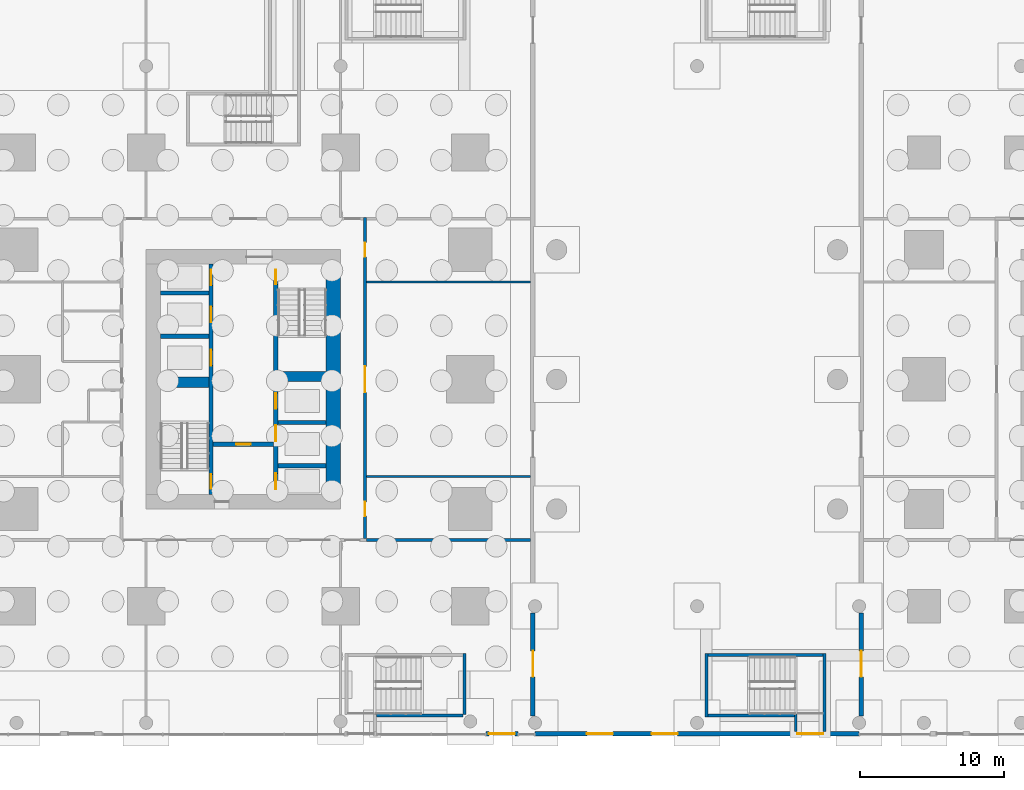
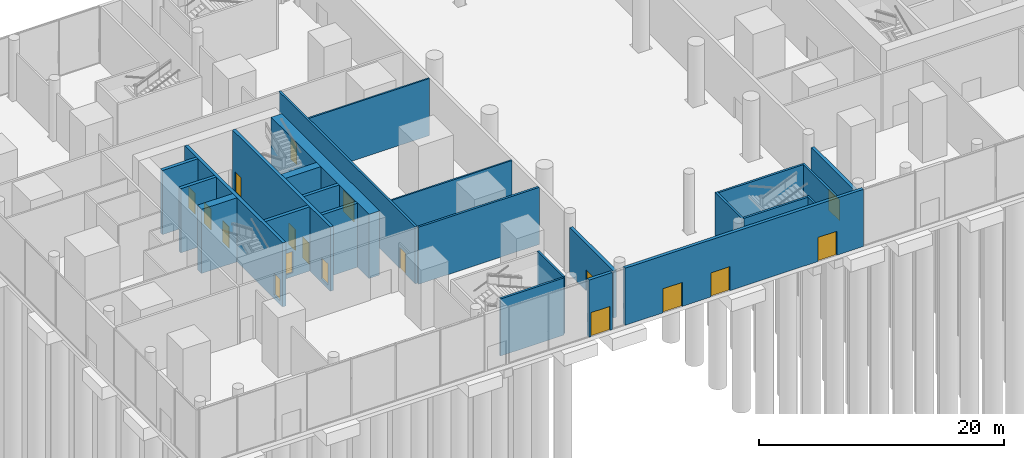
# One storey, part 19 of 31: 25 walls, 18 doors, 18 openings.
"""IFC4 building model written with IfcOpenShell, lengths in metres."""

from ifc_helpers import new_model, si_unit, direction, frame, frame_2d, origin, place, context, subcontext, project, spatial, rectangle, extrude, material, layer, layer_set, type_object, element, fill, save


model = new_model("IFC4")

# Units and contexts
model_context = context("Model", 3, precision=1e-05, world=origin(), true_north=direction((0.0, 1.0)))
body_context = subcontext(model_context, "Body", "Model", "MODEL_VIEW")
ifc_project = project(units=[si_unit("LENGTHUNIT", "METRE"), si_unit("AREAUNIT", "SQUARE_METRE"), si_unit("VOLUMEUNIT", "CUBIC_METRE"), si_unit("PLANEANGLEUNIT", "RADIAN"), si_unit("MASSUNIT", "GRAM", prefix="KILO")], contexts=[model_context])

# Site, building, storey
site_placement = place(None, origin())
site = spatial("IfcSite", under=ifc_project, at=site_placement, CompositionType="ELEMENT")
building_placement = place(site_placement, origin())
building = spatial("IfcBuilding", under=site, at=building_placement, Name="Namib Vertical Campus", CompositionType="ELEMENT")
storey_placement = place(building_placement, origin())
storey = spatial("IfcBuildingStorey", under=building, at=storey_placement, Name="L00", CompositionType="ELEMENT", Elevation=0.0)

# Wall, openings, doors
ifc_material_1 = material(Name="Concrete C60/75", Category="concrete")
ifc_layer_1 = layer(ifc_material_1, 0.300048828125)
ifc_layer_set_1 = layer_set([ifc_layer_1], Name="Concrete C60/75")
wall_type_1 = type_object("IfcWallType", Name="Core inner wall 300", PredefinedType="SHEAR", material=ifc_layer_set_1)
wall_1_placement = place(storey_placement, frame((18.0, 12.25, -0.39990234375), z_axis=(0.0, 0.0, 1.0), x_axis=(0.0, 1.0, 0.0)))
wall_1 = element("IfcWall", 1, at=wall_1_placement, inside=storey, type_object=wall_type_1, Name="Core inner wall A L00 W1", PredefinedType="SHEAR", context=body_context, shape_type="SweptSolid", body=[
    extrude(rectangle(XDim=16.0, YDim=0.300048828125, at=frame_2d((8.0, 0.0))), origin(), (0.0, 0.0, 1.0), 6.39990234375),
])
opening_1_placement = place(wall_1_placement, frame((0.39990234375, 0.0, 0.39990234375)))
opening_1 = element("IfcOpeningElement", 2, at=opening_1_placement, cuts=wall_1, Name="Opening FD1", PredefinedType="OPENING", context=body_context, shape_type="SweptSolid", body=[
    extrude(rectangle(XDim=1.0, YDim=2.10009765625, at=frame_2d((0.5, 1.050048828125))), frame((0.0, 0.159912109375, 0.0), z_axis=(0.0, -1.0, 0.0), x_axis=(1.0, 0.0, 0.0)), (0.0, 0.0, 1.0), 0.320068359375),
])
opening_2_placement = place(wall_1_placement, frame((8.949951171875, 0.0, 0.39990234375)))
opening_2 = element("IfcOpeningElement", 3, at=opening_2_placement, cuts=wall_1, Name="Opening LD1", PredefinedType="OPENING", context=body_context, shape_type="SweptSolid", body=[
    extrude(rectangle(XDim=1.10009765625, YDim=2.10009765625, at=frame_2d((0.550048828125, 1.050048828125))), frame((0.0, 0.159912109375, 0.0), z_axis=(0.0, -1.0, 0.0), x_axis=(1.0, 0.0, 0.0)), (0.0, 0.0, 1.0), 0.320068359375),
])
opening_3_placement = place(wall_1_placement, frame((11.949951171875, 0.0, 0.39990234375)))
opening_3 = element("IfcOpeningElement", 4, at=opening_3_placement, cuts=wall_1, Name="Opening LD1", PredefinedType="OPENING", context=body_context, shape_type="SweptSolid", body=[
    extrude(rectangle(XDim=1.10009765625, YDim=2.10009765625, at=frame_2d((0.550048828125, 1.050048828125))), frame((0.0, 0.159912109375, 0.0), z_axis=(0.0, -1.0, 0.0), x_axis=(1.0, 0.0, 0.0)), (0.0, 0.0, 1.0), 0.320068359375),
])
opening_4_placement = place(wall_1_placement, frame((14.52490234375, 0.0, 0.39990234375)))
opening_4 = element("IfcOpeningElement", 5, at=opening_4_placement, cuts=wall_1, Name="Opening LD1", PredefinedType="OPENING", context=body_context, shape_type="SweptSolid", body=[
    extrude(rectangle(XDim=1.10009765625, YDim=2.10009765625, at=frame_2d((0.550048828125, 1.050048828125))), frame((0.0, 0.159912109375, 0.0), z_axis=(0.0, -1.0, 0.0), x_axis=(1.0, 0.0, 0.0)), (0.0, 0.0, 1.0), 0.320068359375),
])
ifc_material_2 = material(Name="Steel fire door", Category="steel")
door_type_1 = type_object("IfcDoorType", Name="Fire door 1000x2100", OperationType="SINGLE_SWING_RIGHT", PredefinedType="DOOR", material=ifc_material_2)
door_1_placement = place(opening_1_placement, frame((1.0, 0.0, 0.0), z_axis=(0.0, 0.0, 1.0), x_axis=(-1.0, 0.0, 0.0)))
door_1 = element("IfcDoor", 6, at=door_1_placement, inside=storey, type_object=door_type_1, Name="Stair door FD1 A L00 S1", OperationType="SINGLE_SWING_RIGHT", OverallHeight=2.10009765625, OverallWidth=1.0, PredefinedType="DOOR", context=body_context, shape_type="SweptSolid", body=[
    extrude(rectangle(XDim=1.0, YDim=2.10009765625, at=frame_2d((0.5, 1.050048828125))), frame((0.0, 0.02490234375, 0.0), z_axis=(0.0, -1.0, 0.0), x_axis=(1.0, 0.0, 0.0)), (0.0, 0.0, 1.0), 0.050048828125),
])
fill(opening_1, door_1)
ifc_material_3 = material(Name="Stainless steel lift door", Category="steel")
door_type_2 = type_object("IfcDoorType", Name="Lift landing door 1100x2100", OperationType="DOUBLE_DOOR_SLIDING", PredefinedType="DOOR", material=ifc_material_3)
door_2_placement = place(opening_2_placement, origin())
door_2 = element("IfcDoor", 7, at=door_2_placement, inside=storey, type_object=door_type_2, Name="Lift landing door LD1 A-P1 L00", OperationType="DOUBLE_DOOR_SLIDING", OverallHeight=2.10009765625, OverallWidth=1.10009765625, PredefinedType="DOOR", context=body_context, shape_type="SweptSolid", body=[
    extrude(rectangle(XDim=1.10009765625, YDim=2.10009765625, at=frame_2d((0.550048828125, 1.050048828125))), frame((0.0, 0.02490234375, 0.0), z_axis=(0.0, -1.0, 0.0), x_axis=(1.0, 0.0, 0.0)), (0.0, 0.0, 1.0), 0.050048828125),
])
fill(opening_2, door_2)
door_3_placement = place(opening_3_placement, origin())
door_3 = element("IfcDoor", 8, at=door_3_placement, inside=storey, type_object=door_type_2, Name="Lift landing door LD1 A-P2 L00", OperationType="DOUBLE_DOOR_SLIDING", OverallHeight=2.10009765625, OverallWidth=1.10009765625, PredefinedType="DOOR", context=body_context, shape_type="SweptSolid", body=[
    extrude(rectangle(XDim=1.10009765625, YDim=2.10009765625, at=frame_2d((0.550048828125, 1.050048828125))), frame((0.0, 0.02490234375, 0.0), z_axis=(0.0, -1.0, 0.0), x_axis=(1.0, 0.0, 0.0)), (0.0, 0.0, 1.0), 0.050048828125),
])
fill(opening_3, door_3)
door_4_placement = place(opening_4_placement, origin())
door_4 = element("IfcDoor", 9, at=door_4_placement, inside=storey, type_object=door_type_2, Name="Lift landing door LD1 A-P3 L00", OperationType="DOUBLE_DOOR_SLIDING", OverallHeight=2.10009765625, OverallWidth=1.10009765625, PredefinedType="DOOR", context=body_context, shape_type="SweptSolid", body=[
    extrude(rectangle(XDim=1.10009765625, YDim=2.10009765625, at=frame_2d((0.550048828125, 1.050048828125))), frame((0.0, 0.02490234375, 0.0), z_axis=(0.0, -1.0, 0.0), x_axis=(1.0, 0.0, 0.0)), (0.0, 0.0, 1.0), 0.050048828125),
])
fill(opening_4, door_4)

wall_2_placement = place(storey_placement, frame((22.5, 12.25, -0.39990234375), z_axis=(0.0, 0.0, 1.0), x_axis=(0.0, 1.0, 0.0)))
wall_2 = element("IfcWall", 10, at=wall_2_placement, inside=storey, type_object=wall_type_1, Name="Core inner wall A L00 W2", PredefinedType="SHEAR", context=body_context, shape_type="SweptSolid", body=[
    extrude(rectangle(XDim=16.0, YDim=0.300048828125, at=frame_2d((8.0, 0.0))), origin(), (0.0, 0.0, 1.0), 6.39990234375),
])
opening_5_placement = place(wall_2_placement, frame((14.60009765625, 0.0, 0.39990234375)))
opening_5 = element("IfcOpeningElement", 11, at=opening_5_placement, cuts=wall_2, Name="Opening FD1", PredefinedType="OPENING", context=body_context, shape_type="SweptSolid", body=[
    extrude(rectangle(XDim=1.0, YDim=2.10009765625, at=frame_2d((0.5, 1.050048828125))), frame((0.0, 0.159912109375, 0.0), z_axis=(0.0, -1.0, 0.0), x_axis=(1.0, 0.0, 0.0)), (0.0, 0.0, 1.0), 0.320068359375),
])
opening_6_placement = place(wall_2_placement, frame((0.375, 0.0, 0.39990234375)))
opening_6 = element("IfcOpeningElement", 12, at=opening_6_placement, cuts=wall_2, Name="Opening LD1", PredefinedType="OPENING", context=body_context, shape_type="SweptSolid", body=[
    extrude(rectangle(XDim=1.10009765625, YDim=2.10009765625, at=frame_2d((0.550048828125, 1.050048828125))), frame((0.0, 0.159912109375, 0.0), z_axis=(0.0, -1.0, 0.0), x_axis=(1.0, 0.0, 0.0)), (0.0, 0.0, 1.0), 0.320068359375),
])
opening_7_placement = place(wall_2_placement, frame((3.699951171875, 0.0, 0.39990234375)))
opening_7 = element("IfcOpeningElement", 13, at=opening_7_placement, cuts=wall_2, Name="Opening LD1", PredefinedType="OPENING", context=body_context, shape_type="SweptSolid", body=[
    extrude(rectangle(XDim=1.10009765625, YDim=2.10009765625, at=frame_2d((0.550048828125, 1.050048828125))), frame((0.0, 0.159912109375, 0.0), z_axis=(0.0, -1.0, 0.0), x_axis=(1.0, 0.0, 0.0)), (0.0, 0.0, 1.0), 0.320068359375),
])
opening_8_placement = place(wall_2_placement, frame((5.949951171875, 0.0, 0.39990234375)))
opening_8 = element("IfcOpeningElement", 14, at=opening_8_placement, cuts=wall_2, Name="Opening LD1", PredefinedType="OPENING", context=body_context, shape_type="SweptSolid", body=[
    extrude(rectangle(XDim=1.10009765625, YDim=2.10009765625, at=frame_2d((0.550048828125, 1.050048828125))), frame((0.0, 0.159912109375, 0.0), z_axis=(0.0, -1.0, 0.0), x_axis=(1.0, 0.0, 0.0)), (0.0, 0.0, 1.0), 0.320068359375),
])
door_5_placement = place(opening_5_placement, origin())
door_5 = element("IfcDoor", 15, at=door_5_placement, inside=storey, type_object=door_type_1, Name="Stair door FD1 A L00 S2", OperationType="SINGLE_SWING_RIGHT", OverallHeight=2.10009765625, OverallWidth=1.0, PredefinedType="DOOR", context=body_context, shape_type="SweptSolid", body=[
    extrude(rectangle(XDim=1.0, YDim=2.10009765625, at=frame_2d((0.5, 1.050048828125))), frame((0.0, 0.02490234375, 0.0), z_axis=(0.0, -1.0, 0.0), x_axis=(1.0, 0.0, 0.0)), (0.0, 0.0, 1.0), 0.050048828125),
])
fill(opening_5, door_5)
door_6_placement = place(opening_6_placement, origin())
door_6 = element("IfcDoor", 16, at=door_6_placement, inside=storey, type_object=door_type_2, Name="Lift landing door LD1 A-FL1 L00", OperationType="DOUBLE_DOOR_SLIDING", OverallHeight=2.10009765625, OverallWidth=1.10009765625, PredefinedType="DOOR", context=body_context, shape_type="SweptSolid", body=[
    extrude(rectangle(XDim=1.10009765625, YDim=2.10009765625, at=frame_2d((0.550048828125, 1.050048828125))), frame((0.0, 0.02490234375, 0.0), z_axis=(0.0, -1.0, 0.0), x_axis=(1.0, 0.0, 0.0)), (0.0, 0.0, 1.0), 0.050048828125),
])
fill(opening_6, door_6)
door_7_placement = place(opening_7_placement, origin())
door_7 = element("IfcDoor", 17, at=door_7_placement, inside=storey, type_object=door_type_2, Name="Lift landing door LD1 A-P4 L00", OperationType="DOUBLE_DOOR_SLIDING", OverallHeight=2.10009765625, OverallWidth=1.10009765625, PredefinedType="DOOR", context=body_context, shape_type="SweptSolid", body=[
    extrude(rectangle(XDim=1.10009765625, YDim=2.10009765625, at=frame_2d((0.550048828125, 1.050048828125))), frame((0.0, 0.02490234375, 0.0), z_axis=(0.0, -1.0, 0.0), x_axis=(1.0, 0.0, 0.0)), (0.0, 0.0, 1.0), 0.050048828125),
])
fill(opening_7, door_7)
door_8_placement = place(opening_8_placement, origin())
door_8 = element("IfcDoor", 18, at=door_8_placement, inside=storey, type_object=door_type_2, Name="Lift landing door LD1 A-P5 L00", OperationType="DOUBLE_DOOR_SLIDING", OverallHeight=2.10009765625, OverallWidth=1.10009765625, PredefinedType="DOOR", context=body_context, shape_type="SweptSolid", body=[
    extrude(rectangle(XDim=1.10009765625, YDim=2.10009765625, at=frame_2d((0.550048828125, 1.050048828125))), frame((0.0, 0.02490234375, 0.0), z_axis=(0.0, -1.0, 0.0), x_axis=(1.0, 0.0, 0.0)), (0.0, 0.0, 1.0), 0.050048828125),
])
fill(opening_8, door_8)

# Wall, opening, door
wall_3_placement = place(storey_placement, frame((18.14990234375, 15.75, -0.39990234375), z_axis=(0.0, 0.0, 1.0), x_axis=(1.0, 0.0, 0.0)))
wall_3 = element("IfcWall", 19, at=wall_3_placement, inside=storey, type_object=wall_type_1, Name="Core inner wall A L00 W4", PredefinedType="SHEAR", context=body_context, shape_type="SweptSolid", body=[
    extrude(rectangle(XDim=4.2001953125, YDim=0.300048828125, at=frame_2d((2.10009765625, 0.0))), origin(), (0.0, 0.0, 1.0), 6.39990234375),
])
opening_9_placement = place(wall_3_placement, frame((1.60009765625, 0.0, 0.39990234375)))
opening_9 = element("IfcOpeningElement", 20, at=opening_9_placement, cuts=wall_3, Name="Opening FD5", PredefinedType="OPENING", context=body_context, shape_type="SweptSolid", body=[
    extrude(rectangle(XDim=1.0, YDim=2.10009765625, at=frame_2d((0.5, 1.050048828125))), frame((0.0, 0.159912109375, 0.0), z_axis=(0.0, -1.0, 0.0), x_axis=(1.0, 0.0, 0.0)), (0.0, 0.0, 1.0), 0.320068359375),
])
ifc_material_4 = material(Name="Steel fire door", Category="steel")
door_type_3 = type_object("IfcDoorType", Name="Fire door 1000x2100 120 min", OperationType="SINGLE_SWING_RIGHT", PredefinedType="DOOR", material=ifc_material_4)
door_9_placement = place(opening_9_placement, frame((1.0, 0.0, 0.0), z_axis=(0.0, 0.0, 1.0), x_axis=(-1.0, 0.0, 0.0)))
door_9 = element("IfcDoor", 21, at=door_9_placement, inside=storey, type_object=door_type_3, Name="Lobby door FD5 A L00", OperationType="SINGLE_SWING_RIGHT", OverallHeight=2.10009765625, OverallWidth=1.0, PredefinedType="DOOR", context=body_context, shape_type="SweptSolid", body=[
    extrude(rectangle(XDim=1.0, YDim=2.10009765625, at=frame_2d((0.5, 1.050048828125))), frame((0.0, 0.02490234375, 0.0), z_axis=(0.0, -1.0, 0.0), x_axis=(1.0, 0.0, 0.0)), (0.0, 0.0, 1.0), 0.050048828125),
])
fill(opening_9, door_9)

# Walls
for number, where, z_axis, x_axis, name in (
    (22, (22.64990234375, 14.25, -0.39990234375), (0.0, 0.0, 1.0), (1.0, 0.0, 0.0), "Core inner wall A L00 W5"),
    (23, (22.64990234375, 17.25, -0.39990234375), (0.0, 0.0, 1.0), (1.0, 0.0, 0.0), "Core inner wall A L00 W6"),
    (24, (14.5, 23.25, -0.39990234375), (0.0, 0.0, 1.0), (1.0, 0.0, 0.0), "Core inner wall A L00 W8"),
    (25, (14.5, 26.25, -0.39990234375), (0.0, 0.0, 1.0), (1.0, 0.0, 0.0), "Core inner wall A L00 W9"),
):
    element("IfcWall", number, at=place(storey_placement, frame(where, z_axis=z_axis, x_axis=x_axis)), inside=storey, type_object=wall_type_1, Name=name, PredefinedType="SHEAR", context=body_context, shape_type="SweptSolid", body=[
        extrude(rectangle(XDim=3.35009765625, YDim=0.300048828125, at=frame_2d((1.675048828125, 0.0))), origin(), (0.0, 0.0, 1.0), 6.39990234375),
    ])
ifc_material_5 = material(Name="Concrete C60/75", Category="concrete")
ifc_layer_2 = layer(ifc_material_5, 0.699951171875)
ifc_layer_set_2 = layer_set([ifc_layer_2], Name="Concrete C60/75")
wall_type_2 = type_object("IfcWallType", Name="Core shear wall 700", PredefinedType="SHEAR", material=ifc_layer_set_2)
for number, where, z_axis, x_axis, name in (
    (26, (14.5, 20.050048828125, -0.39990234375), (0.0, 0.0, 1.0), (1.0, 0.0, 0.0), "Core shear wall A L00 W3"),
    (27, (22.64990234375, 20.449951171875, -0.39990234375), (0.0, 0.0, 1.0), (1.0, 0.0, 0.0), "Core shear wall A L00 W7"),
):
    element("IfcWall", number, at=place(storey_placement, frame(where, z_axis=z_axis, x_axis=x_axis)), inside=storey, type_object=wall_type_2, Name=name, PredefinedType="SHEAR", context=body_context, shape_type="SweptSolid", body=[
        extrude(rectangle(XDim=3.35009765625, YDim=0.699951171875, at=frame_2d((1.675048828125, 0.0))), origin(), (0.0, 0.0, 1.0), 6.39990234375),
    ])
ifc_material_6 = material(Name="Concrete C60/75", Category="concrete")
ifc_layer_3 = layer(ifc_material_6, 1.0)
ifc_layer_set_3 = layer_set([ifc_layer_3], Name="Concrete C60/75")
wall_type_3 = type_object("IfcWallType", Name="Core wall 1000", PredefinedType="SHEAR", material=ifc_layer_set_3)
wall_4_placement = place(storey_placement, frame((26.5, 12.25, -0.39990234375), z_axis=(0.0, 0.0, 1.0), x_axis=(0.0, 1.0, 0.0)))
element("IfcWall", 28, at=wall_4_placement, inside=storey, type_object=wall_type_3, Name="Core wall A L00 2", PredefinedType="SHEAR", context=body_context, shape_type="SweptSolid", body=[
    extrude(rectangle(XDim=16.0, YDim=1.0, at=frame_2d((8.0, 0.0))), origin(), (0.0, 0.0, 1.0), 6.39990234375),
])

# Wall, openings, doors
ifc_material_7 = material(Name="Concrete masonry", Category="masonry")
ifc_layer_4 = layer(ifc_material_7, 0.199951171875)
ifc_layer_set_4 = layer_set([ifc_layer_4], Name="Corridor wall 200")
wall_type_4 = type_object("IfcWallType", Name="Corridor wall 200", PredefinedType="SOLIDWALL", material=ifc_layer_set_4)
wall_5_placement = place(storey_placement, frame((28.699951171875, 9.199951171875, 0.0), z_axis=(0.0, 0.0, 1.0), x_axis=(0.0, 1.0, 0.0)))
wall_5 = element("IfcWall", 29, at=wall_5_placement, inside=storey, type_object=wall_type_4, Name="Corridor wall A L00 CE", PredefinedType="SOLIDWALL", context=body_context, shape_type="SweptSolid", body=[
    extrude(rectangle(XDim=22.300048828125, YDim=0.199951171875, at=frame_2d((11.14990234375, 0.0))), origin(), (0.0, 0.0, 1.0), 5.699951171875),
])
opening_10_placement = place(wall_5_placement, frame((1.550048828125, 0.0, 0.0)))
opening_10 = element("IfcOpeningElement", 30, at=opening_10_placement, cuts=wall_5, Name="Opening CD1", PredefinedType="OPENING", context=body_context, shape_type="SweptSolid", body=[
    extrude(rectangle(XDim=1.0, YDim=2.10009765625, at=frame_2d((0.5, 1.050048828125))), frame((0.0, 0.10986328125, 0.0), z_axis=(0.0, -1.0, 0.0), x_axis=(1.0, 0.0, 0.0)), (0.0, 0.0, 1.0), 0.219970703125),
])
opening_11_placement = place(wall_5_placement, frame((10.14990234375, 0.0, 0.0)))
opening_11 = element("IfcOpeningElement", 31, at=opening_11_placement, cuts=wall_5, Name="Opening CD2", PredefinedType="OPENING", context=body_context, shape_type="SweptSolid", body=[
    extrude(rectangle(XDim=1.800048828125, YDim=2.10009765625, at=frame_2d((0.89990234375, 1.050048828125))), frame((0.0, 0.10986328125, 0.0), z_axis=(0.0, -1.0, 0.0), x_axis=(1.0, 0.0, 0.0)), (0.0, 0.0, 1.0), 0.219970703125),
])
opening_12_placement = place(wall_5_placement, frame((19.550048828125, 0.0, 0.0)))
opening_12 = element("IfcOpeningElement", 32, at=opening_12_placement, cuts=wall_5, Name="Opening CD1", PredefinedType="OPENING", context=body_context, shape_type="SweptSolid", body=[
    extrude(rectangle(XDim=1.0, YDim=2.10009765625, at=frame_2d((0.5, 1.050048828125))), frame((0.0, 0.10986328125, 0.0), z_axis=(0.0, -1.0, 0.0), x_axis=(1.0, 0.0, 0.0)), (0.0, 0.0, 1.0), 0.219970703125),
])
ifc_material_8 = material(Name="Timber fire door leaf", Category="wood")
door_type_4 = type_object("IfcDoorType", Name="Corridor door 1000x2100 20 min", OperationType="SINGLE_SWING_LEFT", PredefinedType="DOOR", material=ifc_material_8)
door_10_placement = place(opening_10_placement, frame((1.0, 0.0, 0.0), z_axis=(0.0, 0.0, 1.0), x_axis=(-1.0, 0.0, 0.0)))
door_10 = element("IfcDoor", 33, at=door_10_placement, inside=storey, type_object=door_type_4, Name="Door CD1 A00-04", OperationType="SINGLE_SWING_RIGHT", OverallHeight=2.10009765625, OverallWidth=1.0, PredefinedType="DOOR", context=body_context, shape_type="SweptSolid", body=[
    extrude(rectangle(XDim=1.0, YDim=2.10009765625, at=frame_2d((0.5, 1.050048828125))), frame((0.0, 0.02490234375, 0.0), z_axis=(0.0, -1.0, 0.0), x_axis=(1.0, 0.0, 0.0)), (0.0, 0.0, 1.0), 0.050048828125),
])
fill(opening_10, door_10)
door_11_placement = place(opening_12_placement, frame((1.0, 0.0, 0.0), z_axis=(0.0, 0.0, 1.0), x_axis=(-1.0, 0.0, 0.0)))
door_11 = element("IfcDoor", 34, at=door_11_placement, inside=storey, type_object=door_type_4, Name="Door CD1 A00-06", OperationType="SINGLE_SWING_RIGHT", OverallHeight=2.10009765625, OverallWidth=1.0, PredefinedType="DOOR", context=body_context, shape_type="SweptSolid", body=[
    extrude(rectangle(XDim=1.0, YDim=2.10009765625, at=frame_2d((0.5, 1.050048828125))), frame((0.0, 0.02490234375, 0.0), z_axis=(0.0, -1.0, 0.0), x_axis=(1.0, 0.0, 0.0)), (0.0, 0.0, 1.0), 0.050048828125),
])
fill(opening_12, door_11)
ifc_material_9 = material(Name="Timber fire door leaf", Category="wood")
door_type_5 = type_object("IfcDoorType", Name="Corridor door double 1800x2100 20 min", OperationType="DOUBLE_DOOR_SINGLE_SWING", PredefinedType="DOOR", material=ifc_material_9)
door_12_placement = place(opening_11_placement, origin())
door_12 = element("IfcDoor", 35, at=door_12_placement, inside=storey, type_object=door_type_5, Name="Door CD2 A00-05", OperationType="DOUBLE_DOOR_SINGLE_SWING", OverallHeight=2.10009765625, OverallWidth=1.800048828125, PredefinedType="DOOR", context=body_context, shape_type="SweptSolid", body=[
    extrude(rectangle(XDim=1.800048828125, YDim=2.10009765625, at=frame_2d((0.89990234375, 1.050048828125))), frame((0.0, 0.02490234375, 0.0), z_axis=(0.0, -1.0, 0.0), x_axis=(1.0, 0.0, 0.0)), (0.0, 0.0, 1.0), 0.050048828125),
])
fill(opening_11, door_12)

# Wall
wall_6_placement = place(storey_placement, frame((28.800048828125, 9.10009765625, 0.0), z_axis=(0.0, 0.0, 1.0), x_axis=(1.0, 0.0, 0.0)))
element("IfcWall", 36, at=wall_6_placement, inside=storey, type_object=wall_type_4, Name="Partition A L00 BSE", PredefinedType="SOLIDWALL", context=body_context, shape_type="SweptSolid", body=[
    extrude(rectangle(XDim=11.39990234375, YDim=0.199951171875, at=frame_2d((5.699951171875, 0.0))), origin(), (0.0, 0.0, 1.0), 5.699951171875),
])

# Wall, opening, door
ifc_material_10 = material(Name="Concrete C40/50", Category="concrete")
ifc_layer_5 = layer(ifc_material_10, 0.300048828125)
ifc_layer_set_5 = layer_set([ifc_layer_5], Name="Concrete C40/50")
wall_type_5 = type_object("IfcWallType", Name="External wall 300 board-marked concrete", PredefinedType="STANDARD", material=ifc_layer_set_5)
wall_7_placement = place(storey_placement, frame((37.10009765625, -4.35009765625, 0.0), z_axis=(0.0, 0.0, 1.0), x_axis=(1.0, 0.0, 0.0)))
wall_7 = element("IfcWall", 37, at=wall_7_placement, inside=storey, type_object=wall_type_5, Name="External wall L00 entrance 6", PredefinedType="STANDARD", context=body_context, shape_type="SweptSolid", body=[
    extrude(rectangle(XDim=2.199951171875, YDim=0.300048828125, at=frame_2d((1.10009765625, 0.0))), origin(), (0.0, 0.0, 1.0), 5.699951171875),
])
opening_13_placement = place(wall_7_placement, frame((0.199951171875, 0.0, 0.0)))
opening_13 = element("IfcOpeningElement", 38, at=opening_13_placement, cuts=wall_7, Name="Opening ED1", PredefinedType="OPENING", context=body_context, shape_type="SweptSolid", body=[
    extrude(rectangle(XDim=1.800048828125, YDim=2.39990234375, at=frame_2d((0.89990234375, 1.199951171875))), frame((0.0, 0.159912109375, 0.0), z_axis=(0.0, -1.0, 0.0), x_axis=(1.0, 0.0, 0.0)), (0.0, 0.0, 1.0), 0.320068359375),
])
ifc_material_11 = material(Name="Black aluminium glazed door", Category="aluminium")
door_type_6 = type_object("IfcDoorType", Name="Entrance door pair 1800x2400", OperationType="DOUBLE_DOOR_SINGLE_SWING", PredefinedType="DOOR", material=ifc_material_11)
door_13_placement = place(opening_13_placement, frame((1.800048828125, 0.0, 0.0), z_axis=(0.0, 0.0, 1.0), x_axis=(-1.0, 0.0, 0.0)))
door_13 = element("IfcDoor", 39, at=door_13_placement, inside=storey, type_object=door_type_6, Name="Entrance door ED1 6-1", OperationType="DOUBLE_DOOR_SINGLE_SWING", OverallHeight=2.39990234375, OverallWidth=1.800048828125, PredefinedType="DOOR", context=body_context, shape_type="SweptSolid", body=[
    extrude(rectangle(XDim=1.800048828125, YDim=2.39990234375, at=frame_2d((0.89990234375, 1.199951171875))), frame((0.0, 0.02490234375, 0.0), z_axis=(0.0, -1.0, 0.0), x_axis=(1.0, 0.0, 0.0)), (0.0, 0.0, 1.0), 0.050048828125),
])
fill(opening_13, door_13)

# Wall, openings, doors
wall_8_placement = place(storey_placement, frame((40.5, -4.35009765625, 0.0), z_axis=(0.0, 0.0, 1.0), x_axis=(1.0, 0.0, 0.0)))
wall_8 = element("IfcWall", 40, at=wall_8_placement, inside=storey, type_object=wall_type_5, Name="External wall L00 entrance 8", PredefinedType="STANDARD", context=body_context, shape_type="SweptSolid", body=[
    extrude(rectangle(XDim=22.5, YDim=0.300048828125, at=frame_2d((11.25, 0.0))), origin(), (0.0, 0.0, 1.0), 5.699951171875),
])
opening_14_placement = place(wall_8_placement, frame((3.60009765625, 0.0, 0.0)))
opening_14 = element("IfcOpeningElement", 41, at=opening_14_placement, cuts=wall_8, Name="Opening ED1", PredefinedType="OPENING", context=body_context, shape_type="SweptSolid", body=[
    extrude(rectangle(XDim=1.800048828125, YDim=2.39990234375, at=frame_2d((0.89990234375, 1.199951171875))), frame((0.0, 0.159912109375, 0.0), z_axis=(0.0, -1.0, 0.0), x_axis=(1.0, 0.0, 0.0)), (0.0, 0.0, 1.0), 0.320068359375),
])
opening_15_placement = place(wall_8_placement, frame((8.10009765625, 0.0, 0.0)))
opening_15 = element("IfcOpeningElement", 42, at=opening_15_placement, cuts=wall_8, Name="Opening ED1", PredefinedType="OPENING", context=body_context, shape_type="SweptSolid", body=[
    extrude(rectangle(XDim=1.800048828125, YDim=2.39990234375, at=frame_2d((0.89990234375, 1.199951171875))), frame((0.0, 0.159912109375, 0.0), z_axis=(0.0, -1.0, 0.0), x_axis=(1.0, 0.0, 0.0)), (0.0, 0.0, 1.0), 0.320068359375),
])
opening_16_placement = place(wall_8_placement, frame((18.199951171875, 0.0, 0.0)))
opening_16 = element("IfcOpeningElement", 43, at=opening_16_placement, cuts=wall_8, Name="Opening ED1", PredefinedType="OPENING", context=body_context, shape_type="SweptSolid", body=[
    extrude(rectangle(XDim=1.800048828125, YDim=2.39990234375, at=frame_2d((0.89990234375, 1.199951171875))), frame((0.0, 0.159912109375, 0.0), z_axis=(0.0, -1.0, 0.0), x_axis=(1.0, 0.0, 0.0)), (0.0, 0.0, 1.0), 0.320068359375),
])
door_14_placement = place(opening_14_placement, frame((1.800048828125, 0.0, 0.0), z_axis=(0.0, 0.0, 1.0), x_axis=(-1.0, 0.0, 0.0)))
door_14 = element("IfcDoor", 44, at=door_14_placement, inside=storey, type_object=door_type_6, Name="Entrance door ED1 8-1", OperationType="DOUBLE_DOOR_SINGLE_SWING", OverallHeight=2.39990234375, OverallWidth=1.800048828125, PredefinedType="DOOR", context=body_context, shape_type="SweptSolid", body=[
    extrude(rectangle(XDim=1.800048828125, YDim=2.39990234375, at=frame_2d((0.89990234375, 1.199951171875))), frame((0.0, 0.02490234375, 0.0), z_axis=(0.0, -1.0, 0.0), x_axis=(1.0, 0.0, 0.0)), (0.0, 0.0, 1.0), 0.050048828125),
])
fill(opening_14, door_14)
door_15_placement = place(opening_15_placement, frame((1.800048828125, 0.0, 0.0), z_axis=(0.0, 0.0, 1.0), x_axis=(-1.0, 0.0, 0.0)))
door_15 = element("IfcDoor", 45, at=door_15_placement, inside=storey, type_object=door_type_6, Name="Entrance door ED1 8-2", OperationType="DOUBLE_DOOR_SINGLE_SWING", OverallHeight=2.39990234375, OverallWidth=1.800048828125, PredefinedType="DOOR", context=body_context, shape_type="SweptSolid", body=[
    extrude(rectangle(XDim=1.800048828125, YDim=2.39990234375, at=frame_2d((0.89990234375, 1.199951171875))), frame((0.0, 0.02490234375, 0.0), z_axis=(0.0, -1.0, 0.0), x_axis=(1.0, 0.0, 0.0)), (0.0, 0.0, 1.0), 0.050048828125),
])
fill(opening_15, door_15)
door_16_placement = place(opening_16_placement, frame((1.800048828125, 0.0, 0.0), z_axis=(0.0, 0.0, 1.0), x_axis=(-1.0, 0.0, 0.0)))
door_16 = element("IfcDoor", 46, at=door_16_placement, inside=storey, type_object=door_type_6, Name="Stair exit door ED1 P-S4", OperationType="DOUBLE_DOOR_SINGLE_SWING", OverallHeight=2.39990234375, OverallWidth=1.800048828125, PredefinedType="DOOR", context=body_context, shape_type="SweptSolid", body=[
    extrude(rectangle(XDim=1.800048828125, YDim=2.39990234375, at=frame_2d((0.89990234375, 1.199951171875))), frame((0.0, 0.02490234375, 0.0), z_axis=(0.0, -1.0, 0.0), x_axis=(1.0, 0.0, 0.0)), (0.0, 0.0, 1.0), 0.050048828125),
])
fill(opening_16, door_16)

# Wall, opening, door
ifc_material_12 = material(Name="Concrete masonry", Category="masonry")
ifc_layer_6 = layer(ifc_material_12, 0.300048828125)
ifc_layer_set_6 = layer_set([ifc_layer_6], Name="Fire wall 300")
wall_type_6 = type_object("IfcWallType", Name="Fire wall 300", PredefinedType="SOLIDWALL", material=ifc_layer_set_6)
wall_9_placement = place(storey_placement, frame((40.35009765625, -3.1298828125, 0.0), z_axis=(0.0, 0.0, 1.0), x_axis=(0.0, 1.0, 0.0)))
wall_9 = element("IfcWall", 47, at=wall_9_placement, inside=storey, type_object=wall_type_6, Name="Fire wall A L00", PredefinedType="SOLIDWALL", context=body_context, shape_type="SweptSolid", body=[
    extrude(rectangle(XDim=7.159912109375, YDim=0.300048828125, at=frame_2d((3.580078125, 0.0))), origin(), (0.0, 0.0, 1.0), 4.699951171875),
])
opening_17_placement = place(wall_9_placement, frame((2.72998046875, 0.0, 0.0)))
opening_17 = element("IfcOpeningElement", 48, at=opening_17_placement, cuts=wall_9, Name="Opening FD2", PredefinedType="OPENING", context=body_context, shape_type="SweptSolid", body=[
    extrude(rectangle(XDim=1.800048828125, YDim=2.10009765625, at=frame_2d((0.89990234375, 1.050048828125))), frame((0.0, 0.159912109375, 0.0), z_axis=(0.0, -1.0, 0.0), x_axis=(1.0, 0.0, 0.0)), (0.0, 0.0, 1.0), 0.320068359375),
])
ifc_material_13 = material(Name="Steel fire door", Category="steel")
door_type_7 = type_object("IfcDoorType", Name="Fire door double 1800x2100", OperationType="DOUBLE_DOOR_SINGLE_SWING", PredefinedType="DOOR", material=ifc_material_13)
door_17_placement = place(opening_17_placement, origin())
door_17 = element("IfcDoor", 49, at=door_17_placement, inside=storey, type_object=door_type_7, Name="Door FD2 middle A L00 1", OperationType="DOUBLE_DOOR_SINGLE_SWING", OverallHeight=2.10009765625, OverallWidth=1.800048828125, PredefinedType="DOOR", context=body_context, shape_type="SweptSolid", body=[
    extrude(rectangle(XDim=1.800048828125, YDim=2.10009765625, at=frame_2d((0.89990234375, 1.050048828125))), frame((0.0, 0.02490234375, 0.0), z_axis=(0.0, -1.0, 0.0), x_axis=(1.0, 0.0, 0.0)), (0.0, 0.0, 1.0), 0.050048828125),
])
fill(opening_17, door_17)

wall_10_placement = place(storey_placement, frame((63.14990234375, -3.1298828125, 0.0), z_axis=(0.0, 0.0, 1.0), x_axis=(0.0, 1.0, 0.0)))
wall_10 = element("IfcWall", 50, at=wall_10_placement, inside=storey, type_object=wall_type_6, Name="Fire wall B L00", PredefinedType="SOLIDWALL", context=body_context, shape_type="SweptSolid", body=[
    extrude(rectangle(XDim=7.159912109375, YDim=0.300048828125, at=frame_2d((3.580078125, 0.0))), origin(), (0.0, 0.0, 1.0), 4.699951171875),
])
opening_18_placement = place(wall_10_placement, frame((2.72998046875, 0.0, 0.0)))
opening_18 = element("IfcOpeningElement", 51, at=opening_18_placement, cuts=wall_10, Name="Opening FD2", PredefinedType="OPENING", context=body_context, shape_type="SweptSolid", body=[
    extrude(rectangle(XDim=1.800048828125, YDim=2.10009765625, at=frame_2d((0.89990234375, 1.050048828125))), frame((0.0, 0.159912109375, 0.0), z_axis=(0.0, -1.0, 0.0), x_axis=(1.0, 0.0, 0.0)), (0.0, 0.0, 1.0), 0.320068359375),
])
door_18_placement = place(opening_18_placement, frame((1.800048828125, 0.0, 0.0), z_axis=(0.0, 0.0, 1.0), x_axis=(-1.0, 0.0, 0.0)))
door_18 = element("IfcDoor", 52, at=door_18_placement, inside=storey, type_object=door_type_7, Name="Door FD2 middle B L00 1", OperationType="DOUBLE_DOOR_SINGLE_SWING", OverallHeight=2.10009765625, OverallWidth=1.800048828125, PredefinedType="DOOR", context=body_context, shape_type="SweptSolid", body=[
    extrude(rectangle(XDim=1.800048828125, YDim=2.10009765625, at=frame_2d((0.89990234375, 1.050048828125))), frame((0.0, 0.02490234375, 0.0), z_axis=(0.0, -1.0, 0.0), x_axis=(1.0, 0.0, 0.0)), (0.0, 0.0, 1.0), 0.050048828125),
])
fill(opening_18, door_18)

# Walls
ifc_material_14 = material(Name="Gypsum board on steel studs", Category="steel")
ifc_layer_7 = layer(ifc_material_14, 0.14990234375)
ifc_layer_set_7 = layer_set([ifc_layer_7], Name="Gypsum board on steel studs")
wall_type_7 = type_object("IfcWallType", Name="Partition 150", PredefinedType="PARTITIONING", material=ifc_layer_set_7)
for number, where, z_axis, x_axis, name in (
    (53, (28.800048828125, 13.5, 0.0), (0.0, 0.0, 1.0), (1.0, 0.0, 0.0), "Partition A L00 PE1"),
    (54, (28.800048828125, 27.0, 0.0), (0.0, 0.0, 1.0), (1.0, 0.0, 0.0), "Partition A L00 PE2"),
):
    element("IfcWall", number, at=place(storey_placement, frame(where, z_axis=z_axis, x_axis=x_axis)), inside=storey, type_object=wall_type_7, Name=name, PredefinedType="PARTITIONING", context=body_context, shape_type="SweptSolid", body=[
        extrude(rectangle(XDim=11.39990234375, YDim=0.14990234375, at=frame_2d((5.699951171875, 0.0))), origin(), (0.0, 0.0, 1.0), 5.699951171875),
    ])
ifc_material_15 = material(Name="Concrete C40/50", Category="concrete")
ifc_layer_8 = layer(ifc_material_15, 0.199951171875)
ifc_layer_set_8 = layer_set([ifc_layer_8], Name="Concrete C40/50")
wall_type_8 = type_object("IfcWallType", Name="Stair enclosure wall RC 200", PredefinedType="SOLIDWALL", material=ifc_layer_set_8)
wall_11_placement = place(storey_placement, frame((29.5, -3.10009765625, 0.0), z_axis=(0.0, 0.0, 1.0), x_axis=(1.0, 0.0, 0.0)))
element("IfcWall", 55, at=wall_11_placement, inside=storey, type_object=wall_type_8, Name="Stair enclosure wall P-S2 L00 facade side", PredefinedType="SOLIDWALL", context=body_context, shape_type="SweptSolid", body=[
    extrude(rectangle(XDim=6.0, YDim=0.199951171875, at=frame_2d((3.0, 0.0))), origin(), (0.0, 0.0, 1.0), 5.699951171875),
])
wall_12_placement = place(storey_placement, frame((35.60009765625, -3.030029296875, 0.0), z_axis=(0.0, 0.0, 1.0), x_axis=(0.0, 1.0, 0.0)))
element("IfcWall", 56, at=wall_12_placement, inside=storey, type_object=wall_type_8, Name="Stair enclosure wall P-S2 L00 E", PredefinedType="SOLIDWALL", context=body_context, shape_type="SweptSolid", body=[
    extrude(rectangle(XDim=4.22998046875, YDim=0.199951171875, at=frame_2d((2.114990234375, 0.0))), origin(), (0.0, 0.0, 1.0), 5.699951171875),
])
wall_13_placement = place(storey_placement, frame((52.5, 1.10009765625, 0.0), z_axis=(0.0, 0.0, 1.0), x_axis=(1.0, 0.0, 0.0)))
element("IfcWall", 57, at=wall_13_placement, inside=storey, type_object=wall_type_8, Name="Stair enclosure wall P-S4 L00 room side", PredefinedType="SOLIDWALL", context=body_context, shape_type="SweptSolid", body=[
    extrude(rectangle(XDim=8.0, YDim=0.199951171875, at=frame_2d((4.0, 0.0))), origin(), (0.0, 0.0, 1.0), 5.699951171875),
])
wall_14_placement = place(storey_placement, frame((52.5, -3.10009765625, 0.0), z_axis=(0.0, 0.0, 1.0), x_axis=(1.0, 0.0, 0.0)))
element("IfcWall", 58, at=wall_14_placement, inside=storey, type_object=wall_type_8, Name="Stair enclosure wall P-S4 L00 facade side", PredefinedType="SOLIDWALL", context=body_context, shape_type="SweptSolid", body=[
    extrude(rectangle(XDim=6.0, YDim=0.199951171875, at=frame_2d((3.0, 0.0))), origin(), (0.0, 0.0, 1.0), 5.699951171875),
])
wall_15_placement = place(storey_placement, frame((58.60009765625, -3.0, 0.0), z_axis=(0.0, 0.0, 1.0), x_axis=(0.0, -1.0, 0.0)))
element("IfcWall", 59, at=wall_15_placement, inside=storey, type_object=wall_type_8, Name="Stair enclosure wall P-S4 L00 exit vestibule", PredefinedType="SOLIDWALL", context=body_context, shape_type="SweptSolid", body=[
    extrude(rectangle(XDim=1.199951171875, YDim=0.199951171875, at=frame_2d((0.60009765625, 0.0))), origin(), (0.0, 0.0, 1.0), 5.699951171875),
])
wall_16_placement = place(storey_placement, frame((52.39990234375, -3.199951171875, 0.0), z_axis=(0.0, 0.0, 1.0), x_axis=(0.0, 1.0, 0.0)))
element("IfcWall", 60, at=wall_16_placement, inside=storey, type_object=wall_type_8, Name="Stair enclosure wall P-S4 L00 W", PredefinedType="SOLIDWALL", context=body_context, shape_type="SweptSolid", body=[
    extrude(rectangle(XDim=4.39990234375, YDim=0.199951171875, at=frame_2d((2.199951171875, 0.0))), origin(), (0.0, 0.0, 1.0), 5.699951171875),
])
wall_17_placement = place(storey_placement, frame((60.60009765625, -4.199951171875, 0.0), z_axis=(0.0, 0.0, 1.0), x_axis=(0.0, 1.0, 0.0)))
element("IfcWall", 61, at=wall_17_placement, inside=storey, type_object=wall_type_8, Name="Stair enclosure wall P-S4 L00 E", PredefinedType="SOLIDWALL", context=body_context, shape_type="SweptSolid", body=[
    extrude(rectangle(XDim=5.39990234375, YDim=0.199951171875, at=frame_2d((2.699951171875, 0.0))), origin(), (0.0, 0.0, 1.0), 5.699951171875),
])

save(model, "model.ifc")
